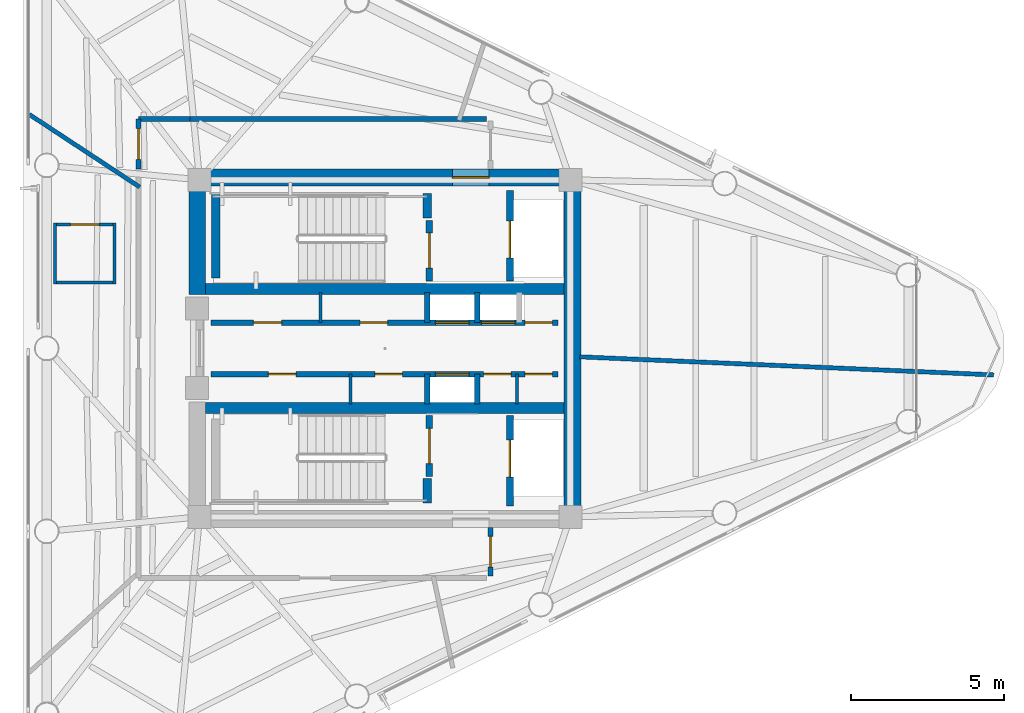
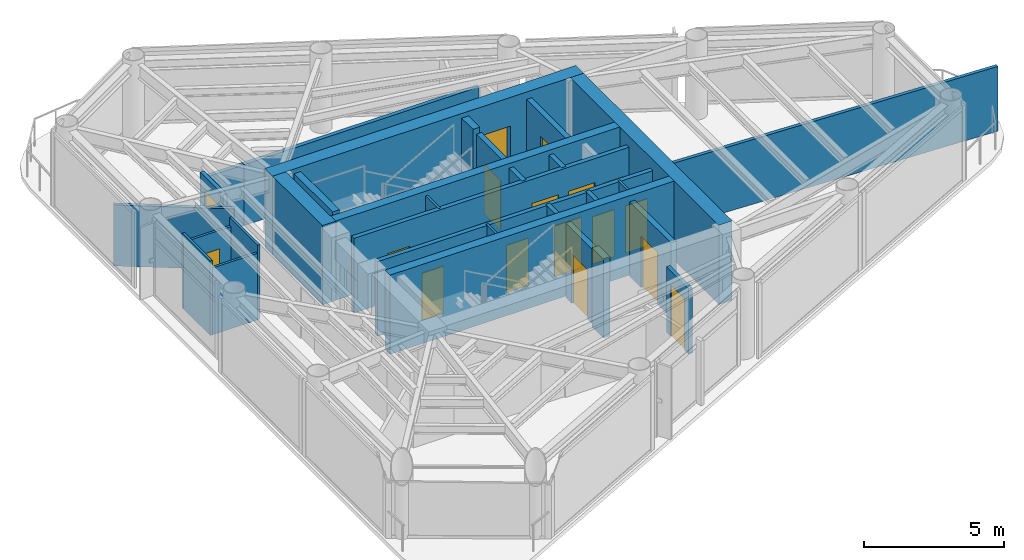
# One storey, part 5 of 10: 31 walls, 18 doors, 18 openings.
"""IFC4 building model written with IfcOpenShell, lengths in metres."""

from ifc_helpers import new_model, si_unit, direction, frame, frame_2d, origin, place, context, subcontext, project, spatial, rectangle, extrude, material, layer, layer_set, type_object, element, fill, save


model = new_model("IFC4")

# Units and contexts
model_context = context("Model", 3, precision=1e-05, world=origin(), true_north=direction((0.0, 1.0)))
body_context = subcontext(model_context, "Body", "Model", "MODEL_VIEW")
ifc_project = project(units=[si_unit("LENGTHUNIT", "METRE"), si_unit("AREAUNIT", "SQUARE_METRE"), si_unit("VOLUMEUNIT", "CUBIC_METRE"), si_unit("PLANEANGLEUNIT", "RADIAN"), si_unit("MASSUNIT", "GRAM", prefix="KILO")], contexts=[model_context])

# Site, building, storey
site_placement = place(None, origin())
site = spatial("IfcSite", under=ifc_project, at=site_placement, CompositionType="ELEMENT")
building_placement = place(site_placement, origin())
building = spatial("IfcBuilding", under=site, at=building_placement, Name="Yunling Apex Tower", CompositionType="ELEMENT")
storey_placement = place(building_placement, frame((0.0, 0.0, 293.300048828125)))
storey = spatial("IfcBuildingStorey", under=building, at=storey_placement, Name="L71", CompositionType="ELEMENT", Elevation=293.300048828125)

# Wall, opening, door
ifc_material_1 = material(Name="Concrete C40", Category="concrete")
ifc_layer_1 = layer(ifc_material_1, 0.550048828125)
ifc_layer_set_1 = layer_set([ifc_layer_1], Name="Concrete C40")
wall_type_1 = type_object("IfcWallType", Name="WL-COR-3", PredefinedType="SHEAR", material=ifc_layer_set_1)
wall_1_placement = place(storey_placement, frame((-6.39990234375, 5.574951171875, 0.0), z_axis=(0.0, 0.0, 1.0), x_axis=(1.0, 0.0, 0.0)))
wall_1 = element("IfcWall", 1, at=wall_1_placement, inside=storey, type_object=wall_type_1, Name="L71 North Core Shear Wall", PredefinedType="SHEAR", context=body_context, shape_type="SweptSolid", body=[
    extrude(rectangle(XDim=12.7998046875, YDim=0.550048828125, at=frame_2d((6.39990234375, 0.0))), origin(), (0.0, 0.0, 1.0), 3.449951171875),
])
opening_1_placement = place(wall_1_placement, frame((8.60009765625, 0.0, 0.0)))
opening_1 = element("IfcOpeningElement", 2, at=opening_1_placement, cuts=wall_1, Name="Opening DR-FFL-1", PredefinedType="OPENING", context=body_context, shape_type="SweptSolid", body=[
    extrude(rectangle(XDim=1.199951171875, YDim=2.199951171875, at=frame_2d((0.60009765625, 1.10009765625))), frame((0.0, 0.28515625, 0.0), z_axis=(0.0, -1.0, 0.0), x_axis=(1.0, 0.0, 0.0)), (0.0, 0.0, 1.0), 0.570068359375),
])
ifc_material_2 = material(Name="Steel Q355B", Category="steel")
door_type_1 = type_object("IfcDoorType", Name="DR-FFL-1", OperationType="NOTDEFINED", PredefinedType="DOOR", material=ifc_material_2)
door_1_placement = place(opening_1_placement, origin())
door_1 = element("IfcDoor", 3, at=door_1_placement, inside=storey, type_object=door_type_1, Name="L71 North Firefighting Lobby Door", OperationType="SINGLE_SWING_LEFT", OverallHeight=2.199951171875, OverallWidth=1.199951171875, PredefinedType="DOOR", context=body_context, shape_type="SweptSolid", body=[
    extrude(rectangle(XDim=1.199951171875, YDim=2.199951171875, at=frame_2d((0.60009765625, 1.10009765625))), frame((0.0, 0.02490234375, 0.0), z_axis=(0.0, -1.0, 0.0), x_axis=(1.0, 0.0, 0.0)), (0.0, 0.0, 1.0), 0.050048828125),
])
fill(opening_1, door_1)

# Walls
wall_2_placement = place(storey_placement, frame((6.125, -5.300048828125, 0.0), z_axis=(0.0, 0.0, 1.0), x_axis=(0.0, 1.0, 0.0)))
element("IfcWall", 4, at=wall_2_placement, inside=storey, type_object=wall_type_1, Name="L71 East Core Shear Wall", PredefinedType="SHEAR", context=body_context, shape_type="SweptSolid", body=[
    extrude(rectangle(XDim=10.60009765625, YDim=0.550048828125, at=frame_2d((5.300048828125, 0.0))), origin(), (0.0, 0.0, 1.0), 3.449951171875),
])
wall_3_placement = place(storey_placement, frame((-6.125, 1.75, 0.0), z_axis=(0.0, 0.0, 1.0), x_axis=(0.0, 1.0, 0.0)))
element("IfcWall", 5, at=wall_3_placement, inside=storey, type_object=wall_type_1, Name="L71 West-North Core Shear Wall", PredefinedType="SHEAR", context=body_context, shape_type="SweptSolid", body=[
    extrude(rectangle(XDim=3.550048828125, YDim=0.550048828125, at=frame_2d((1.77490234375, 0.0))), origin(), (0.0, 0.0, 1.0), 3.449951171875),
])
ifc_layer_2 = layer(ifc_material_1, 0.360107421875)
ifc_layer_set_2 = layer_set([ifc_layer_2], Name="Concrete C40")
wall_type_2 = type_object("IfcWallType", Name="WL-COR-4", PredefinedType="SHEAR", material=ifc_layer_set_2)
for number, where, z_axis, x_axis, name in (
    (6, (-5.85009765625, 1.93994140625, 0.0), (0.0, 0.0, 1.0), (1.0, 0.0, 0.0), "L71 North Internal Core Shear Wall"),
    (7, (-5.85009765625, -1.93994140625, 0.0), (0.0, 0.0, 1.0), (1.0, 0.0, 0.0), "L71 South Internal Core Shear Wall"),
):
    element("IfcWall", number, at=place(storey_placement, frame(where, z_axis=z_axis, x_axis=x_axis)), inside=storey, type_object=wall_type_2, Name=name, PredefinedType="SHEAR", context=body_context, shape_type="SweptSolid", body=[
        extrude(rectangle(XDim=11.7001953125, YDim=0.360107421875, at=frame_2d((5.85009765625, 0.0))), origin(), (0.0, 0.0, 1.0), 3.449951171875),
    ])
ifc_layer_3 = layer(ifc_material_1, 0.280029296875)
ifc_layer_set_3 = layer_set([ifc_layer_3], Name="Concrete C40")
wall_type_3 = type_object("IfcWallType", Name="WL-COR-8", PredefinedType="SHEAR", material=ifc_layer_set_3)
wall_4_placement = place(storey_placement, frame((-5.52001953125, 2.300048828125, 0.0), z_axis=(0.0, 0.0, 1.0), x_axis=(0.0, 1.0, 0.0)))
element("IfcWall", 8, at=wall_4_placement, inside=storey, type_object=wall_type_3, Name="L71 ST-1 West Landing Bearing Wall", PredefinedType="SHEAR", context=body_context, shape_type="SweptSolid", body=[
    extrude(rectangle(XDim=2.75, YDim=0.280029296875, at=frame_2d((1.375, 0.0))), origin(), (0.0, 0.0, 1.0), 3.449951171875),
])
for number, where, z_axis, x_axis, name in (
    (9, (1.3798828125, 4.25, 0.0), (0.0, 0.0, 1.0), (0.0, 1.0, 0.0), "L71 ST-1 East Landing Bearing Pier"),
    (10, (1.3798828125, -5.050048828125, 0.0), (0.0, 0.0, 1.0), (0.0, 1.0, 0.0), "L71 ST-2 East Landing Bearing Pier"),
):
    element("IfcWall", number, at=place(storey_placement, frame(where, z_axis=z_axis, x_axis=x_axis)), inside=storey, type_object=wall_type_3, Name=name, PredefinedType="SHEAR", context=body_context, shape_type="SweptSolid", body=[
        extrude(rectangle(XDim=0.800048828125, YDim=0.280029296875, at=frame_2d((0.39990234375, 0.0))), origin(), (0.0, 0.0, 1.0), 3.449951171875),
    ])

# Wall, opening, door
ifc_material_3 = material(Name="Gypsum board acoustic partition")
ifc_layer_4 = layer(ifc_material_3, 0.159912109375)
ifc_layer_set_4 = layer_set([ifc_layer_4], Name="Gypsum board acoustic partition")
wall_type_4 = type_object("IfcWallType", Name="WL-PRT-1", PredefinedType="PARTITIONING", material=ifc_layer_set_4)
wall_5_placement = place(storey_placement, frame((-8.0400390625, 5.85009765625, 0.0), z_axis=(0.0, 0.0, 1.0), x_axis=(0.0, 1.0, 0.0)))
wall_5 = element("IfcWall", 11, at=wall_5_placement, inside=storey, type_object=wall_type_4, Name="WL-CORR-L71-01", PredefinedType="PARTITIONING", context=body_context, shape_type="SweptSolid", body=[
    extrude(rectangle(XDim=1.639892578125, YDim=0.159912109375, at=frame_2d((0.81982421875, 0.0))), origin(), (0.0, 0.0, 1.0), 2.905029296875),
])
opening_2_placement = place(wall_5_placement, frame((0.320068359375, 0.0, 0.0)))
opening_2 = element("IfcOpeningElement", 12, at=opening_2_placement, cuts=wall_5, Name="Opening DR-OFF-1", PredefinedType="OPENING", context=body_context, shape_type="SweptSolid", body=[
    extrude(rectangle(XDim=1.0, YDim=2.25, at=frame_2d((0.5, 1.125))), frame((0.0, 0.08984375, 0.0), z_axis=(0.0, -1.0, 0.0), x_axis=(1.0, 0.0, 0.0)), (0.0, 0.0, 1.0), 0.179931640625),
])
ifc_material_4 = material(Name="Bronze anodised aluminium", Category="aluminium")
door_type_2 = type_object("IfcDoorType", Name="DR-OFF-1", OperationType="NOTDEFINED", PredefinedType="DOOR", material=ifc_material_4)
door_2_placement = place(opening_2_placement, origin())
door_2 = element("IfcDoor", 13, at=door_2_placement, inside=storey, type_object=door_type_2, Name="L71 Parcel Archive Store Door", OperationType="SINGLE_SWING_LEFT", OverallHeight=2.25, OverallWidth=1.0, PredefinedType="DOOR", context=body_context, shape_type="SweptSolid", body=[
    extrude(rectangle(XDim=1.0, YDim=2.25, at=frame_2d((0.5, 1.125))), frame((0.0, 0.02490234375, 0.0), z_axis=(0.0, -1.0, 0.0), x_axis=(1.0, 0.0, 0.0)), (0.0, 0.0, 1.0), 0.050048828125),
])
fill(opening_2, door_2)

# Walls
wall_6_placement = place(storey_placement, frame((-8.0400390625, 7.489990234375, 0.0), z_axis=(0.0, 0.0, 1.0), x_axis=(1.0, 0.0, 0.0)))
element("IfcWall", 14, at=wall_6_placement, inside=storey, type_object=wall_type_4, Name="WL-CORR-L71-02", PredefinedType="PARTITIONING", context=body_context, shape_type="SweptSolid", body=[
    extrude(rectangle(XDim=1.679931640625, YDim=0.159912109375, at=frame_2d((0.83984375, 0.0))), origin(), (0.0, 0.0, 1.0), 2.655029296875),
])
wall_7_placement = place(storey_placement, frame((-6.360107421875, 7.489990234375, 0.0), z_axis=(0.0, 0.0, 1.0), x_axis=(1.0, 0.0, 0.0)))
element("IfcWall", 15, at=wall_7_placement, inside=storey, type_object=wall_type_4, Name="WL-CORR-L71-03", PredefinedType="PARTITIONING", context=body_context, shape_type="SweptSolid", body=[
    extrude(rectangle(XDim=9.67919921875, YDim=0.159912109375, at=frame_2d((4.839599609375, 0.0))), origin(), (0.0, 0.0, 1.0), 2.655029296875),
])

# Wall, opening, door
wall_8_placement = place(storey_placement, frame((3.449951171875, -5.85009765625, 0.0), z_axis=(0.0, 0.0, 1.0), x_axis=(0.0, -1.0, 0.0)))
wall_8 = element("IfcWall", 16, at=wall_8_placement, inside=storey, type_object=wall_type_4, Name="WL-CORR-L71-05", PredefinedType="PARTITIONING", context=body_context, shape_type="SweptSolid", body=[
    extrude(rectangle(XDim=1.57470703125, YDim=0.159912109375, at=frame_2d((0.787353515625, 0.0))), origin(), (0.0, 0.0, 1.0), 2.85498046875),
])
opening_3_placement = place(wall_8_placement, frame((0.287353515625, 0.0, 0.0)))
opening_3 = element("IfcOpeningElement", 17, at=opening_3_placement, cuts=wall_8, Name="Opening DR-OFF-1", PredefinedType="OPENING", context=body_context, shape_type="SweptSolid", body=[
    extrude(rectangle(XDim=1.0, YDim=2.25, at=frame_2d((0.5, 1.125))), frame((0.0, 0.08984375, 0.0), z_axis=(0.0, -1.0, 0.0), x_axis=(1.0, 0.0, 0.0)), (0.0, 0.0, 1.0), 0.179931640625),
])
door_3_placement = place(opening_3_placement, origin())
door_3 = element("IfcDoor", 18, at=door_3_placement, inside=storey, type_object=door_type_2, Name="L71 Parcel Archive Store Door", OperationType="SINGLE_SWING_LEFT", OverallHeight=2.25, OverallWidth=1.0, PredefinedType="DOOR", context=body_context, shape_type="SweptSolid", body=[
    extrude(rectangle(XDim=1.0, YDim=2.25, at=frame_2d((0.5, 1.125))), frame((0.0, 0.02490234375, 0.0), z_axis=(0.0, -1.0, 0.0), x_axis=(1.0, 0.0, 0.0)), (0.0, 0.0, 1.0), 0.050048828125),
])
fill(opening_3, door_3)

# Walls
ifc_layer_5 = layer(ifc_material_3, 0.139892578125)
ifc_layer_set_5 = layer_set([ifc_layer_5], Name="Gypsum board acoustic partition")
wall_type_5 = type_object("IfcWallType", Name="WL-PRT-2", PredefinedType="PARTITIONING", material=ifc_layer_set_5)
wall_9_placement = place(storey_placement, frame((6.360107421875, -0.277587890625, 0.0), z_axis=(0.0, 0.0, 1.0), x_axis=(0.999047623791, -0.043633076864, 0.0)))
element("IfcWall", 19, at=wall_9_placement, inside=storey, type_object=wall_type_5, Name="WL-RAD-L71-01", PredefinedType="PARTITIONING", context=body_context, shape_type="SweptSolid", body=[
    extrude(rectangle(XDim=13.52392578125, YDim=0.139892578125, at=frame_2d((6.761962890625, 0.0))), origin(), (0.0, 0.0, 1.0), 2.81494140625),
])
wall_10_placement = place(storey_placement, frame((-8.0, 5.26171875, 0.0), z_axis=(0.0, 0.0, 1.0), x_axis=(-0.835496328285, 0.549496028578, 0.0)))
element("IfcWall", 20, at=wall_10_placement, inside=storey, type_object=wall_type_5, Name="WL-RAD-L71-03", PredefinedType="PARTITIONING", context=body_context, shape_type="SweptSolid", body=[
    extrude(rectangle(XDim=4.317626953125, YDim=0.139892578125, at=frame_2d((2.15869140625, 0.0))), origin(), (0.0, 0.0, 1.0), 2.655029296875),
])
ifc_layer_6 = layer(ifc_material_3, 0.10009765625)
ifc_layer_set_6 = layer_set([ifc_layer_6], Name="Gypsum board acoustic partition")
wall_type_6 = type_object("IfcWallType", Name="WL-PRT-4", PredefinedType="PARTITIONING", material=ifc_layer_set_6)
for number, where, z_axis, x_axis, name in (
    (21, (-2.10009765625, 0.840087890625, 0.0), (0.0, 0.0, 1.0), (0.0, 1.0, 0.0), "WL-RECLMC-N-L71"),
    (22, (-1.1201171875, -1.820068359375, 0.0), (0.0, 0.0, 1.0), (0.0, 1.0, 0.0), "WL-RECLMC-S-L71"),
    (23, (4.31005859375, -1.820068359375, 0.0), (0.0, 0.0, 1.0), (0.0, 1.0, 0.0), "WL-KCDIV-L71"),
):
    element("IfcWall", number, at=place(storey_placement, frame(where, z_axis=z_axis, x_axis=x_axis)), inside=storey, type_object=wall_type_6, Name=name, PredefinedType="PARTITIONING", context=body_context, shape_type="SweptSolid", body=[
        extrude(rectangle(XDim=0.97998046875, YDim=0.10009765625, at=frame_2d((0.489990234375, 0.0))), origin(), (0.0, 0.0, 1.0), 3.25),
    ])

# Wall, opening, door
wall_11_placement = place(storey_placement, frame((-10.819091796875, 4.047119140625, 0.0), z_axis=(0.0, 0.0, 1.0), x_axis=(1.0, 0.0, 0.0)))
wall_11 = element("IfcWall", 24, at=wall_11_placement, inside=storey, type_object=wall_type_6, Name="WL-L71-RWC1N", PredefinedType="PARTITIONING", context=body_context, shape_type="SweptSolid", body=[
    extrude(rectangle(XDim=2.050048828125, YDim=0.10009765625, at=frame_2d((1.02490234375, 0.0))), origin(), (0.0, 0.0, 1.0), 2.905029296875),
])
opening_4_placement = place(wall_11_placement, frame((0.56494140625, 0.0, 0.0)))
opening_4 = element("IfcOpeningElement", 25, at=opening_4_placement, cuts=wall_11, Name="Opening DR-WC-1", PredefinedType="OPENING", context=body_context, shape_type="SweptSolid", body=[
    extrude(rectangle(XDim=0.919921875, YDim=2.10009765625, at=frame_2d((0.4599609375, 1.050048828125))), frame((0.0, 0.06005859375, 0.0), z_axis=(0.0, -1.0, 0.0), x_axis=(1.0, 0.0, 0.0)), (0.0, 0.0, 1.0), 0.1201171875),
])
ifc_material_5 = material(Name="Timber moisture-resistant leaf", Category="wood")
door_type_3 = type_object("IfcDoorType", Name="DR-WC-1", OperationType="NOTDEFINED", PredefinedType="DOOR", material=ifc_material_5)
door_4_placement = place(opening_4_placement, origin())
door_4 = element("IfcDoor", 26, at=door_4_placement, inside=storey, type_object=door_type_3, Name="L71 Accessible WC Door", OperationType="SINGLE_SWING_RIGHT", OverallHeight=2.10009765625, OverallWidth=0.919921875, PredefinedType="DOOR", context=body_context, shape_type="SweptSolid", body=[
    extrude(rectangle(XDim=0.919921875, YDim=2.10009765625, at=frame_2d((0.4599609375, 1.050048828125))), frame((0.0, 0.02490234375, 0.0), z_axis=(0.0, -1.0, 0.0), x_axis=(1.0, 0.0, 0.0)), (0.0, 0.0, 1.0), 0.050048828125),
])
fill(opening_4, door_4)

# Walls
wall_12_placement = place(storey_placement, frame((-8.76904296875, 2.14697265625, 0.0), z_axis=(0.0, 0.0, 1.0), x_axis=(-1.0, 0.0, 0.0)))
element("IfcWall", 27, at=wall_12_placement, inside=storey, type_object=wall_type_6, Name="WL-L71-RWC1S", PredefinedType="PARTITIONING", context=body_context, shape_type="SweptSolid", body=[
    extrude(rectangle(XDim=2.050048828125, YDim=0.10009765625, at=frame_2d((1.02490234375, 0.0))), origin(), (0.0, 0.0, 1.0), 2.905029296875),
])
for number, where, z_axis, x_axis, name in (
    (28, (-8.819091796875, 4.096923828125, 0.0), (0.0, 0.0, 1.0), (0.0, -1.0, 0.0), "WL-L71-RWC1E"),
    (29, (-10.76904296875, 2.096923828125, 0.0), (0.0, 0.0, 1.0), (0.0, 1.0, 0.0), "WL-L71-RWC1W"),
):
    element("IfcWall", number, at=place(storey_placement, frame(where, z_axis=z_axis, x_axis=x_axis)), inside=storey, type_object=wall_type_6, Name=name, PredefinedType="PARTITIONING", context=body_context, shape_type="SweptSolid", body=[
        extrude(rectangle(XDim=2.0, YDim=0.10009765625, at=frame_2d((1.0, 0.0))), origin(), (0.0, 0.0, 1.0), 3.25),
    ])

# Wall, opening, door
ifc_material_6 = material(Name="Autoclaved aerated concrete masonry", Category="masonry")
ifc_layer_7 = layer(ifc_material_6, 0.219970703125)
ifc_layer_set_7 = layer_set([ifc_layer_7], Name="Autoclaved aerated concrete masonry")
wall_type_7 = type_object("IfcWallType", Name="WL-SHF-1", PredefinedType="PLUMBINGWALL", material=ifc_layer_set_7)
wall_13_placement = place(storey_placement, frame((1.449951171875, 2.199951171875, 0.0), z_axis=(0.0, 0.0, 1.0), x_axis=(0.0, 1.0, 0.0)))
wall_13 = element("IfcWall", 30, at=wall_13_placement, inside=storey, type_object=wall_type_7, Name="WL-ST1-E-L71", PredefinedType="PLUMBINGWALL", context=body_context, shape_type="SweptSolid", body=[
    extrude(rectangle(XDim=1.97998046875, YDim=0.219970703125, at=frame_2d((0.989990234375, 0.0))), origin(), (0.0, 0.0, 1.0), 3.25),
])
opening_5_placement = place(wall_13_placement, frame((0.419921875, 0.0, 0.0)))
opening_5 = element("IfcOpeningElement", 31, at=opening_5_placement, cuts=wall_13, Name="Opening DR-ST-1", PredefinedType="OPENING", context=body_context, shape_type="SweptSolid", body=[
    extrude(rectangle(XDim=1.14990234375, YDim=2.14990234375, at=frame_2d((0.574951171875, 1.074951171875))), frame((0.0, 0.1201171875, 0.0), z_axis=(0.0, -1.0, 0.0), x_axis=(1.0, 0.0, 0.0)), (0.0, 0.0, 1.0), 0.239990234375),
])
door_type_4 = type_object("IfcDoorType", Name="DR-ST-1", OperationType="NOTDEFINED", PredefinedType="DOOR", material=ifc_material_2)
door_5_placement = place(opening_5_placement, origin())
door_5 = element("IfcDoor", 32, at=door_5_placement, inside=storey, type_object=door_type_4, Name="L71 Stair ST-1 Fire Door", OperationType="SINGLE_SWING_LEFT", OverallHeight=2.14990234375, OverallWidth=1.14990234375, PredefinedType="DOOR", context=body_context, shape_type="SweptSolid", body=[
    extrude(rectangle(XDim=1.14990234375, YDim=2.14990234375, at=frame_2d((0.574951171875, 1.074951171875))), frame((0.0, 0.02490234375, 0.0), z_axis=(0.0, -1.0, 0.0), x_axis=(1.0, 0.0, 0.0)), (0.0, 0.0, 1.0), 0.050048828125),
])
fill(opening_5, door_5)

wall_14_placement = place(storey_placement, frame((4.080078125, 2.199951171875, 0.0), z_axis=(0.0, 0.0, 1.0), x_axis=(0.0, 1.0, 0.0)))
wall_14 = element("IfcWall", 33, at=wall_14_placement, inside=storey, type_object=wall_type_7, Name="WL-FFL1-W-L71", PredefinedType="PLUMBINGWALL", context=body_context, shape_type="SweptSolid", body=[
    extrude(rectangle(XDim=2.949951171875, YDim=0.219970703125, at=frame_2d((1.47509765625, 0.0))), origin(), (0.0, 0.0, 1.0), 3.25),
])
opening_6_placement = place(wall_14_placement, frame((0.75, 0.0, 0.0)))
opening_6 = element("IfcOpeningElement", 34, at=opening_6_placement, cuts=wall_14, Name="Opening LD-FFL-1", PredefinedType="OPENING", context=body_context, shape_type="SweptSolid", body=[
    extrude(rectangle(XDim=1.199951171875, YDim=2.25, at=frame_2d((0.60009765625, 1.125))), frame((0.0, 0.1201171875, 0.0), z_axis=(0.0, -1.0, 0.0), x_axis=(1.0, 0.0, 0.0)), (0.0, 0.0, 1.0), 0.239990234375),
])
door_type_5 = type_object("IfcDoorType", Name="LD-FFL-1", OperationType="DOUBLE_DOOR_SLIDING", PredefinedType="DOOR", material=ifc_material_2)
door_6_placement = place(opening_6_placement, origin())
door_6 = element("IfcDoor", 35, at=door_6_placement, inside=storey, type_object=door_type_5, Name="L71 Lift FFL-1 Landing Door", OperationType="DOUBLE_DOOR_SLIDING", OverallHeight=2.25, OverallWidth=1.199951171875, PredefinedType="DOOR", context=body_context, shape_type="SweptSolid", body=[
    extrude(rectangle(XDim=1.199951171875, YDim=2.25, at=frame_2d((0.60009765625, 1.125))), frame((0.0, 0.02490234375, 0.0), z_axis=(0.0, -1.0, 0.0), x_axis=(1.0, 0.0, 0.0)), (0.0, 0.0, 1.0), 0.050048828125),
])
fill(opening_6, door_6)

wall_15_placement = place(storey_placement, frame((1.449951171875, -4.179931640625, 0.0), z_axis=(0.0, 0.0, 1.0), x_axis=(0.0, 1.0, 0.0)))
wall_15 = element("IfcWall", 36, at=wall_15_placement, inside=storey, type_object=wall_type_7, Name="WL-ST2-E-L71", PredefinedType="PLUMBINGWALL", context=body_context, shape_type="SweptSolid", body=[
    extrude(rectangle(XDim=1.97998046875, YDim=0.219970703125, at=frame_2d((0.989990234375, 0.0))), origin(), (0.0, 0.0, 1.0), 3.25),
])
opening_7_placement = place(wall_15_placement, frame((0.419921875, 0.0, 0.0)))
opening_7 = element("IfcOpeningElement", 37, at=opening_7_placement, cuts=wall_15, Name="Opening DR-ST-1", PredefinedType="OPENING", context=body_context, shape_type="SweptSolid", body=[
    extrude(rectangle(XDim=1.14990234375, YDim=2.14990234375, at=frame_2d((0.574951171875, 1.074951171875))), frame((0.0, 0.1201171875, 0.0), z_axis=(0.0, -1.0, 0.0), x_axis=(1.0, 0.0, 0.0)), (0.0, 0.0, 1.0), 0.239990234375),
])
door_7_placement = place(opening_7_placement, origin())
door_7 = element("IfcDoor", 38, at=door_7_placement, inside=storey, type_object=door_type_4, Name="L71 Stair ST-2 Fire Door", OperationType="SINGLE_SWING_RIGHT", OverallHeight=2.14990234375, OverallWidth=1.14990234375, PredefinedType="DOOR", context=body_context, shape_type="SweptSolid", body=[
    extrude(rectangle(XDim=1.14990234375, YDim=2.14990234375, at=frame_2d((0.574951171875, 1.074951171875))), frame((0.0, 0.02490234375, 0.0), z_axis=(0.0, -1.0, 0.0), x_axis=(1.0, 0.0, 0.0)), (0.0, 0.0, 1.0), 0.050048828125),
])
fill(opening_7, door_7)

wall_16_placement = place(storey_placement, frame((4.080078125, -5.14990234375, 0.0), z_axis=(0.0, 0.0, 1.0), x_axis=(0.0, 1.0, 0.0)))
wall_16 = element("IfcWall", 39, at=wall_16_placement, inside=storey, type_object=wall_type_7, Name="WL-FFL2-W-L71", PredefinedType="PLUMBINGWALL", context=body_context, shape_type="SweptSolid", body=[
    extrude(rectangle(XDim=2.949951171875, YDim=0.219970703125, at=frame_2d((1.47509765625, 0.0))), origin(), (0.0, 0.0, 1.0), 3.25),
])
opening_8_placement = place(wall_16_placement, frame((0.949951171875, 0.0, 0.0)))
opening_8 = element("IfcOpeningElement", 40, at=opening_8_placement, cuts=wall_16, Name="Opening LD-FFL-1", PredefinedType="OPENING", context=body_context, shape_type="SweptSolid", body=[
    extrude(rectangle(XDim=1.199951171875, YDim=2.25, at=frame_2d((0.60009765625, 1.125))), frame((0.0, 0.1201171875, 0.0), z_axis=(0.0, -1.0, 0.0), x_axis=(1.0, 0.0, 0.0)), (0.0, 0.0, 1.0), 0.239990234375),
])
door_8_placement = place(opening_8_placement, origin())
door_8 = element("IfcDoor", 41, at=door_8_placement, inside=storey, type_object=door_type_5, Name="L71 Lift FFL-2 Landing Door", OperationType="DOUBLE_DOOR_SLIDING", OverallHeight=2.25, OverallWidth=1.199951171875, PredefinedType="DOOR", context=body_context, shape_type="SweptSolid", body=[
    extrude(rectangle(XDim=1.199951171875, YDim=2.25, at=frame_2d((0.60009765625, 1.125))), frame((0.0, 0.02490234375, 0.0), z_axis=(0.0, -1.0, 0.0), x_axis=(1.0, 0.0, 0.0)), (0.0, 0.0, 1.0), 0.050048828125),
])
fill(opening_8, door_8)

# Walls
ifc_layer_8 = layer(ifc_material_6, 0.179931640625)
ifc_layer_set_8 = layer_set([ifc_layer_8], Name="Autoclaved aerated concrete masonry")
wall_type_8 = type_object("IfcWallType", Name="WL-SHF-2", PredefinedType="PLUMBINGWALL", material=ifc_layer_set_8)
for number, where, z_axis, x_axis, name in (
    (42, (1.3798828125, 0.840087890625, 0.0), (0.0, 0.0, 1.0), (0.0, 1.0, 0.0), "WL-BNK-MH-N-L71"),
    (43, (1.3798828125, -1.820068359375, 0.0), (0.0, 0.0, 1.0), (0.0, 1.0, 0.0), "WL-BNK-MH-S-L71"),
    (44, (3.02001953125, 0.840087890625, 0.0), (0.0, 0.0, 1.0), (0.0, 1.0, 0.0), "WL-DIV-H13-L71"),
    (45, (3.02001953125, -1.820068359375, 0.0), (0.0, 0.0, 1.0), (0.0, 1.0, 0.0), "WL-END-H2E-L71"),
):
    element("IfcWall", number, at=place(storey_placement, frame(where, z_axis=z_axis, x_axis=x_axis)), inside=storey, type_object=wall_type_8, Name=name, PredefinedType="PLUMBINGWALL", context=body_context, shape_type="SweptSolid", body=[
        extrude(rectangle(XDim=0.97998046875, YDim=0.179931640625, at=frame_2d((0.489990234375, 0.0))), origin(), (0.0, 0.0, 1.0), 3.25),
    ])

# Wall, openings, doors
wall_17_placement = place(storey_placement, frame((-5.679931640625, 0.840087890625, 0.0), z_axis=(0.0, 0.0, 1.0), x_axis=(1.0, 0.0, 0.0)))
wall_17 = element("IfcWall", 46, at=wall_17_placement, inside=storey, type_object=wall_type_8, Name="WL-LOB-N-L71", PredefinedType="PLUMBINGWALL", context=body_context, shape_type="SweptSolid", body=[
    extrude(rectangle(XDim=11.329833984375, YDim=0.179931640625, at=frame_2d((5.6650390625, 0.0))), origin(), (0.0, 0.0, 1.0), 3.25),
])
opening_9_placement = place(wall_17_placement, frame((1.389892578125, 0.0, 0.0)))
opening_9 = element("IfcOpeningElement", 47, at=opening_9_placement, cuts=wall_17, Name="Opening DR-WC-1", PredefinedType="OPENING", context=body_context, shape_type="SweptSolid", body=[
    extrude(rectangle(XDim=0.919921875, YDim=2.10009765625, at=frame_2d((0.4599609375, 1.050048828125))), frame((0.0, 0.10009765625, 0.0), z_axis=(0.0, -1.0, 0.0), x_axis=(1.0, 0.0, 0.0)), (0.0, 0.0, 1.0), 0.199951171875),
])
opening_10_placement = place(wall_17_placement, frame((4.8701171875, 0.0, 0.0)))
opening_10 = element("IfcOpeningElement", 48, at=opening_10_placement, cuts=wall_17, Name="Opening DR-SHF-1", PredefinedType="OPENING", context=body_context, shape_type="SweptSolid", body=[
    extrude(rectangle(XDim=0.89990234375, YDim=2.050048828125, at=frame_2d((0.449951171875, 1.02490234375))), frame((0.0, 0.10009765625, 0.0), z_axis=(0.0, -1.0, 0.0), x_axis=(1.0, 0.0, 0.0)), (0.0, 0.0, 1.0), 0.199951171875),
])
opening_11_placement = place(wall_17_placement, frame((7.330078125, 0.0, 0.0)))
opening_11 = element("IfcOpeningElement", 49, at=opening_11_placement, cuts=wall_17, Name="Opening LD-PAS-1", PredefinedType="OPENING", context=body_context, shape_type="SweptSolid", body=[
    extrude(rectangle(XDim=1.10009765625, YDim=2.199951171875, at=frame_2d((0.550048828125, 1.10009765625))), frame((0.0, 0.10009765625, 0.0), z_axis=(0.0, -1.0, 0.0), x_axis=(1.0, 0.0, 0.0)), (0.0, 0.0, 1.0), 0.199951171875),
])
opening_12_placement = place(wall_17_placement, frame((8.830078125, 0.0, 0.0)))
opening_12 = element("IfcOpeningElement", 50, at=opening_12_placement, cuts=wall_17, Name="Opening LD-PAS-1", PredefinedType="OPENING", context=body_context, shape_type="SweptSolid", body=[
    extrude(rectangle(XDim=1.10009765625, YDim=2.199951171875, at=frame_2d((0.550048828125, 1.10009765625))), frame((0.0, 0.10009765625, 0.0), z_axis=(0.0, -1.0, 0.0), x_axis=(1.0, 0.0, 0.0)), (0.0, 0.0, 1.0), 0.199951171875),
])
opening_13_placement = place(wall_17_placement, frame((10.25, 0.0, 0.0)))
opening_13 = element("IfcOpeningElement", 51, at=opening_13_placement, cuts=wall_17, Name="Opening DR-SHF-1", PredefinedType="OPENING", context=body_context, shape_type="SweptSolid", body=[
    extrude(rectangle(XDim=0.89990234375, YDim=2.050048828125, at=frame_2d((0.449951171875, 1.02490234375))), frame((0.0, 0.10009765625, 0.0), z_axis=(0.0, -1.0, 0.0), x_axis=(1.0, 0.0, 0.0)), (0.0, 0.0, 1.0), 0.199951171875),
])
door_type_6 = type_object("IfcDoorType", Name="DR-SHF-1", OperationType="NOTDEFINED", PredefinedType="DOOR", material=ifc_material_2)
door_9_placement = place(opening_10_placement, origin())
door_9 = element("IfcDoor", 52, at=door_9_placement, inside=storey, type_object=door_type_6, Name="L71 Electrical Plant Door", OperationType="SINGLE_SWING_RIGHT", OverallHeight=2.050048828125, OverallWidth=0.89990234375, PredefinedType="DOOR", context=body_context, shape_type="SweptSolid", body=[
    extrude(rectangle(XDim=0.89990234375, YDim=2.050048828125, at=frame_2d((0.449951171875, 1.02490234375))), frame((0.0, 0.02490234375, 0.0), z_axis=(0.0, -1.0, 0.0), x_axis=(1.0, 0.0, 0.0)), (0.0, 0.0, 1.0), 0.050048828125),
])
fill(opening_10, door_9)
door_10_placement = place(opening_13_placement, origin())
door_10 = element("IfcDoor", 53, at=door_10_placement, inside=storey, type_object=door_type_6, Name="L71 Floor Supply Store Door", OperationType="SINGLE_SWING_LEFT", OverallHeight=2.050048828125, OverallWidth=0.89990234375, PredefinedType="DOOR", context=body_context, shape_type="SweptSolid", body=[
    extrude(rectangle(XDim=0.89990234375, YDim=2.050048828125, at=frame_2d((0.449951171875, 1.02490234375))), frame((0.0, 0.02490234375, 0.0), z_axis=(0.0, -1.0, 0.0), x_axis=(1.0, 0.0, 0.0)), (0.0, 0.0, 1.0), 0.050048828125),
])
fill(opening_13, door_10)
door_11_placement = place(opening_9_placement, origin())
door_11 = element("IfcDoor", 54, at=door_11_placement, inside=storey, type_object=door_type_3, Name="L71 Staff WC Door", OperationType="SINGLE_SWING_LEFT", OverallHeight=2.10009765625, OverallWidth=0.919921875, PredefinedType="DOOR", context=body_context, shape_type="SweptSolid", body=[
    extrude(rectangle(XDim=0.919921875, YDim=2.10009765625, at=frame_2d((0.4599609375, 1.050048828125))), frame((0.0, 0.02490234375, 0.0), z_axis=(0.0, -1.0, 0.0), x_axis=(1.0, 0.0, 0.0)), (0.0, 0.0, 1.0), 0.050048828125),
])
fill(opening_9, door_11)
ifc_material_7 = material(Name="Silver anodised aluminium", Category="aluminium")
door_type_7 = type_object("IfcDoorType", Name="LD-PAS-1", OperationType="DOUBLE_DOOR_SLIDING", PredefinedType="DOOR", material=ifc_material_7)
door_12_placement = place(opening_11_placement, origin())
door_12 = element("IfcDoor", 55, at=door_12_placement, inside=storey, type_object=door_type_7, Name="L71 Lift PL-H1 Landing Door", OperationType="DOUBLE_DOOR_SLIDING", OverallHeight=2.199951171875, OverallWidth=1.10009765625, PredefinedType="DOOR", context=body_context, shape_type="SweptSolid", body=[
    extrude(rectangle(XDim=1.10009765625, YDim=2.199951171875, at=frame_2d((0.550048828125, 1.10009765625))), frame((0.0, 0.02490234375, 0.0), z_axis=(0.0, -1.0, 0.0), x_axis=(1.0, 0.0, 0.0)), (0.0, 0.0, 1.0), 0.050048828125),
])
fill(opening_11, door_12)
door_13_placement = place(opening_12_placement, origin())
door_13 = element("IfcDoor", 56, at=door_13_placement, inside=storey, type_object=door_type_7, Name="L71 Lift PL-H3 Landing Door", OperationType="DOUBLE_DOOR_SLIDING", OverallHeight=2.199951171875, OverallWidth=1.10009765625, PredefinedType="DOOR", context=body_context, shape_type="SweptSolid", body=[
    extrude(rectangle(XDim=1.10009765625, YDim=2.199951171875, at=frame_2d((0.550048828125, 1.10009765625))), frame((0.0, 0.02490234375, 0.0), z_axis=(0.0, -1.0, 0.0), x_axis=(1.0, 0.0, 0.0)), (0.0, 0.0, 1.0), 0.050048828125),
])
fill(opening_12, door_13)

wall_18_placement = place(storey_placement, frame((-5.679931640625, -0.840087890625, 0.0), z_axis=(0.0, 0.0, 1.0), x_axis=(1.0, 0.0, 0.0)))
wall_18 = element("IfcWall", 57, at=wall_18_placement, inside=storey, type_object=wall_type_8, Name="WL-LOB-S-L71", PredefinedType="PLUMBINGWALL", context=body_context, shape_type="SweptSolid", body=[
    extrude(rectangle(XDim=11.329833984375, YDim=0.179931640625, at=frame_2d((5.6650390625, 0.0))), origin(), (0.0, 0.0, 1.0), 3.25),
])
opening_14_placement = place(wall_18_placement, frame((1.8798828125, 0.0, 0.0)))
opening_14 = element("IfcOpeningElement", 58, at=opening_14_placement, cuts=wall_18, Name="Opening DR-SHF-1", PredefinedType="OPENING", context=body_context, shape_type="SweptSolid", body=[
    extrude(rectangle(XDim=0.89990234375, YDim=2.050048828125, at=frame_2d((0.449951171875, 1.02490234375))), frame((0.0, 0.10009765625, 0.0), z_axis=(0.0, -1.0, 0.0), x_axis=(1.0, 0.0, 0.0)), (0.0, 0.0, 1.0), 0.199951171875),
])
opening_15_placement = place(wall_18_placement, frame((5.35009765625, 0.0, 0.0)))
opening_15 = element("IfcOpeningElement", 59, at=opening_15_placement, cuts=wall_18, Name="Opening DR-SHF-1", PredefinedType="OPENING", context=body_context, shape_type="SweptSolid", body=[
    extrude(rectangle(XDim=0.89990234375, YDim=2.050048828125, at=frame_2d((0.449951171875, 1.02490234375))), frame((0.0, 0.10009765625, 0.0), z_axis=(0.0, -1.0, 0.0), x_axis=(1.0, 0.0, 0.0)), (0.0, 0.0, 1.0), 0.199951171875),
])
opening_16_placement = place(wall_18_placement, frame((7.330078125, 0.0, 0.0)))
opening_16 = element("IfcOpeningElement", 60, at=opening_16_placement, cuts=wall_18, Name="Opening LD-PAS-1", PredefinedType="OPENING", context=body_context, shape_type="SweptSolid", body=[
    extrude(rectangle(XDim=1.10009765625, YDim=2.199951171875, at=frame_2d((0.550048828125, 1.10009765625))), frame((0.0, 0.10009765625, 0.0), z_axis=(0.0, -1.0, 0.0), x_axis=(1.0, 0.0, 0.0)), (0.0, 0.0, 1.0), 0.199951171875),
])
opening_17_placement = place(wall_18_placement, frame((8.89990234375, 0.0, 0.0)))
opening_17 = element("IfcOpeningElement", 61, at=opening_17_placement, cuts=wall_18, Name="Opening DR-SHF-1", PredefinedType="OPENING", context=body_context, shape_type="SweptSolid", body=[
    extrude(rectangle(XDim=0.89990234375, YDim=2.050048828125, at=frame_2d((0.449951171875, 1.02490234375))), frame((0.0, 0.10009765625, 0.0), z_axis=(0.0, -1.0, 0.0), x_axis=(1.0, 0.0, 0.0)), (0.0, 0.0, 1.0), 0.199951171875),
])
opening_18_placement = place(wall_18_placement, frame((10.25, 0.0, 0.0)))
opening_18 = element("IfcOpeningElement", 62, at=opening_18_placement, cuts=wall_18, Name="Opening DR-SHF-1", PredefinedType="OPENING", context=body_context, shape_type="SweptSolid", body=[
    extrude(rectangle(XDim=0.89990234375, YDim=2.050048828125, at=frame_2d((0.449951171875, 1.02490234375))), frame((0.0, 0.10009765625, 0.0), z_axis=(0.0, -1.0, 0.0), x_axis=(1.0, 0.0, 0.0)), (0.0, 0.0, 1.0), 0.199951171875),
])
door_14_placement = place(opening_14_placement, origin())
door_14 = element("IfcDoor", 63, at=door_14_placement, inside=storey, type_object=door_type_6, Name="L71 Luggage Store Door", OperationType="SINGLE_SWING_RIGHT", OverallHeight=2.050048828125, OverallWidth=0.89990234375, PredefinedType="DOOR", context=body_context, shape_type="SweptSolid", body=[
    extrude(rectangle(XDim=0.89990234375, YDim=2.050048828125, at=frame_2d((0.449951171875, 1.02490234375))), frame((0.0, 0.02490234375, 0.0), z_axis=(0.0, -1.0, 0.0), x_axis=(1.0, 0.0, 0.0)), (0.0, 0.0, 1.0), 0.050048828125),
])
fill(opening_14, door_14)
door_15_placement = place(opening_15_placement, origin())
door_15 = element("IfcDoor", 64, at=door_15_placement, inside=storey, type_object=door_type_6, Name="L71 Booster Plant Door", OperationType="SINGLE_SWING_LEFT", OverallHeight=2.050048828125, OverallWidth=0.89990234375, PredefinedType="DOOR", context=body_context, shape_type="SweptSolid", body=[
    extrude(rectangle(XDim=0.89990234375, YDim=2.050048828125, at=frame_2d((0.449951171875, 1.02490234375))), frame((0.0, 0.02490234375, 0.0), z_axis=(0.0, -1.0, 0.0), x_axis=(1.0, 0.0, 0.0)), (0.0, 0.0, 1.0), 0.050048828125),
])
fill(opening_15, door_15)
door_16_placement = place(opening_17_placement, origin())
door_16 = element("IfcDoor", 65, at=door_16_placement, inside=storey, type_object=door_type_6, Name="L71 LV Closet Door", OperationType="SINGLE_SWING_RIGHT", OverallHeight=2.050048828125, OverallWidth=0.89990234375, PredefinedType="DOOR", context=body_context, shape_type="SweptSolid", body=[
    extrude(rectangle(XDim=0.89990234375, YDim=2.050048828125, at=frame_2d((0.449951171875, 1.02490234375))), frame((0.0, 0.02490234375, 0.0), z_axis=(0.0, -1.0, 0.0), x_axis=(1.0, 0.0, 0.0)), (0.0, 0.0, 1.0), 0.050048828125),
])
fill(opening_17, door_16)
door_17_placement = place(opening_18_placement, origin())
door_17 = element("IfcDoor", 66, at=door_17_placement, inside=storey, type_object=door_type_6, Name="L71 Standpipe Closet Door", OperationType="SINGLE_SWING_LEFT", OverallHeight=2.050048828125, OverallWidth=0.89990234375, PredefinedType="DOOR", context=body_context, shape_type="SweptSolid", body=[
    extrude(rectangle(XDim=0.89990234375, YDim=2.050048828125, at=frame_2d((0.449951171875, 1.02490234375))), frame((0.0, 0.02490234375, 0.0), z_axis=(0.0, -1.0, 0.0), x_axis=(1.0, 0.0, 0.0)), (0.0, 0.0, 1.0), 0.050048828125),
])
fill(opening_18, door_17)
door_18_placement = place(opening_16_placement, origin())
door_18 = element("IfcDoor", 67, at=door_18_placement, inside=storey, type_object=door_type_7, Name="L71 Lift PL-H2 Landing Door", OperationType="DOUBLE_DOOR_SLIDING", OverallHeight=2.199951171875, OverallWidth=1.10009765625, PredefinedType="DOOR", context=body_context, shape_type="SweptSolid", body=[
    extrude(rectangle(XDim=1.10009765625, YDim=2.199951171875, at=frame_2d((0.550048828125, 1.10009765625))), frame((0.0, 0.02490234375, 0.0), z_axis=(0.0, -1.0, 0.0), x_axis=(1.0, 0.0, 0.0)), (0.0, 0.0, 1.0), 0.050048828125),
])
fill(opening_16, door_18)

save(model, "model.ifc")
